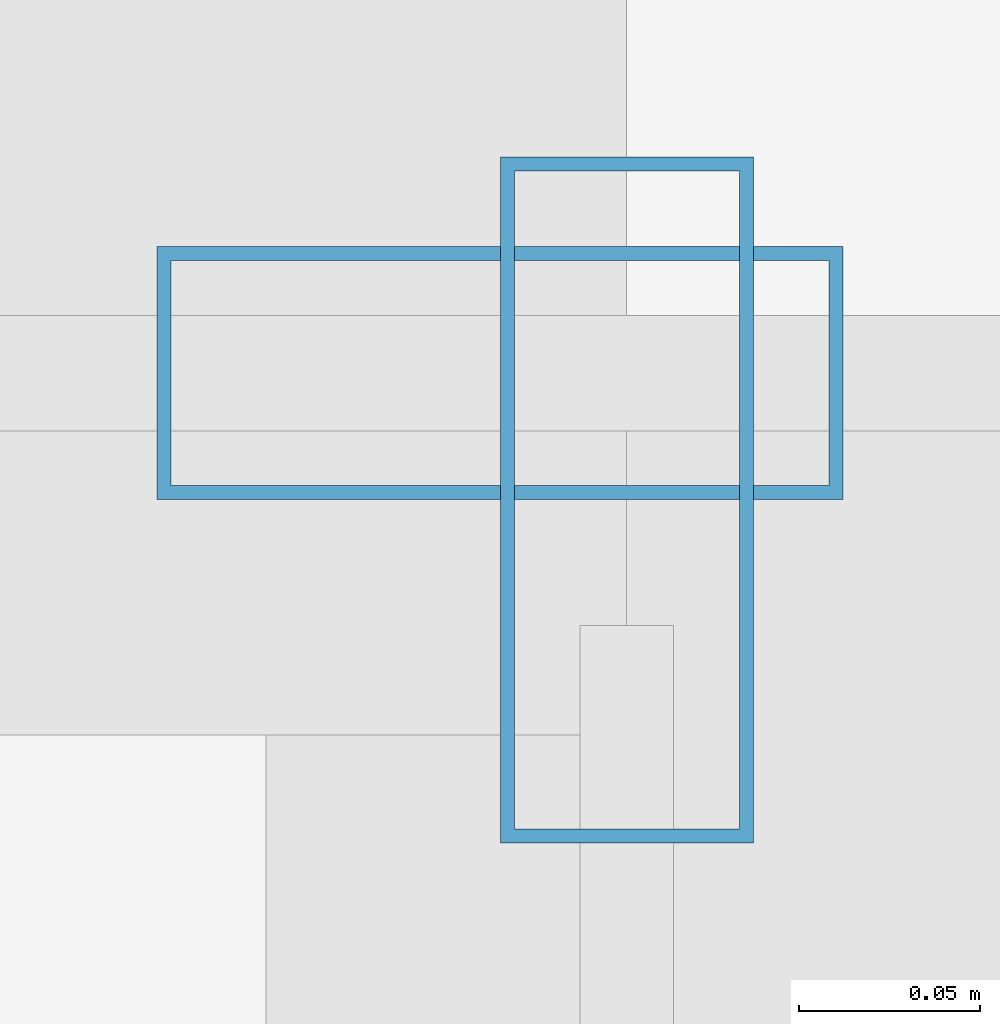
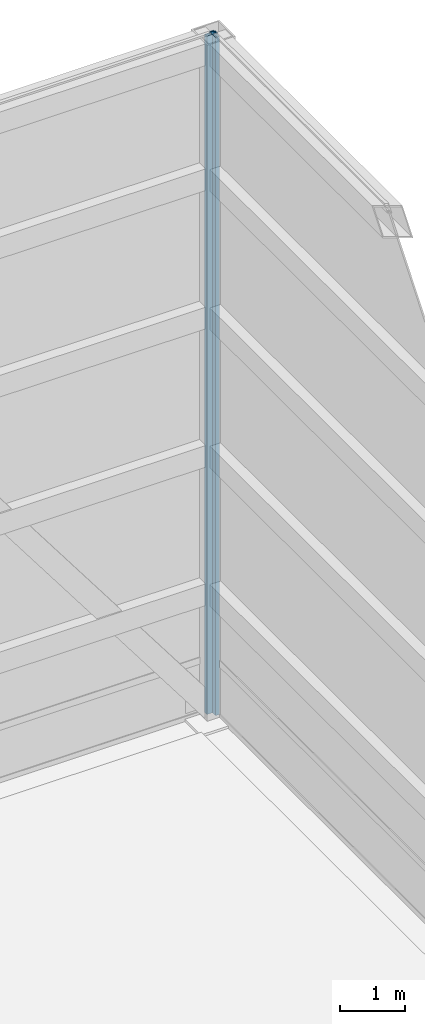
# One storey, part 19 of 23: 2 members, 2 elements without a shape of their own.
"""IFC4 building model written with IfcOpenShell, lengths in metres."""

from ifc_helpers import new_model, si_unit, direction, frame, origin, origin_2d, place, context, subcontext, project, spatial, hollow_rectangle, extrude, source, transform, mapped, material, layer, layer_set, material_profile, profile_set, type_object, type_shapes, element, aggregate, save


model = new_model("IFC4")

# Units and contexts
model_context = context("Model", 3, precision=1e-05, world=origin(), true_north=direction((0.0, 1.0)))
body_context = subcontext(model_context, "Body", "Model", "MODEL_VIEW")
ifc_project = project(units=[si_unit("LENGTHUNIT", "METRE"), si_unit("AREAUNIT", "SQUARE_METRE"), si_unit("VOLUMEUNIT", "CUBIC_METRE"), si_unit("PLANEANGLEUNIT", "RADIAN"), si_unit("MASSUNIT", "GRAM", prefix="KILO")], contexts=[model_context])

# Site, building, storey
site_placement = place(None, origin())
site = spatial("IfcSite", under=ifc_project, at=site_placement, CompositionType="ELEMENT")
building_placement = place(site_placement, origin())
building = spatial("IfcBuilding", under=site, at=building_placement, Name="Varnel Quay Broadcast Tower", CompositionType="ELEMENT")
storey_placement = place(building_placement, frame((0.0, 0.0, 319.800048828125)))
storey = spatial("IfcBuildingStorey", under=building, at=storey_placement, Name="Roof", CompositionType="ELEMENT", Elevation=319.800048828125)

# Curtain wall, member
ifc_material = material(Name="Anodised Bronze Aluminium 6063-T6", Category="aluminium")
ifc_layer = layer(ifc_material, 0.18994140625, Name="Anodised Bronze Aluminium 6063-T6")
ifc_layer_set = layer_set([ifc_layer], Name="Anodised Bronze Aluminium 6063-T6")
curtain_wall_type = type_object("IfcCurtainWallType", Name="CW_CrownScreen", PredefinedType="NOTDEFINED", material=ifc_layer_set)
curtain_wall_1_placement = place(storey_placement, origin())
curtain_wall_1 = element("IfcCurtainWall", 1, at=curtain_wall_1_placement, inside=storey, type_object=curtain_wall_type, Name="Ring Crown Bronze Glazed Louvre Screen E2", PredefinedType="NOTDEFINED")
ifc_material_profile = material_profile(ifc_material, hollow_rectangle(XDim=0.070068359375, YDim=0.18994140625, WallThickness=0.00390625, at=origin_2d()), Name="ALU70X190X4")
ifc_profile_set = profile_set([ifc_material_profile], Name="Anodised Bronze Aluminium 6063-T6")
member_type = type_object("IfcMemberType", Name="Mull_CWS-06", PredefinedType="MULLION", material=ifc_profile_set)
shared_shape = source(origin(), body_context, "Body", "SweptSolid", [
    extrude(hollow_rectangle(XDim=0.070068359375, YDim=0.18994140625, WallThickness=0.00390625, at=origin_2d()), origin(), (0.0, 0.0, 1.0), 12.75),
])
type_shapes(member_type, [shared_shape])
member_1_placement = place(storey_placement, frame((52.800048828125, 43.56494140625, 0.0), z_axis=(0.0, 0.0, 1.0), x_axis=(-1.0, 0.0, 0.0)))
member_1 = element("IfcMember", 2, at=member_1_placement, type_object=member_type, Name="CWS-06 mullion 3", PredefinedType="MULLION", context=body_context, shape_type="MappedRepresentation", body=[
    mapped(shared_shape, transform((0.0, 0.0, 0.0), x_axis=(1.0, 0.0, 0.0), y_axis=(0.0, 1.0, 0.0), z_axis=(0.0, 0.0, 1.0), scale=1.0)),
])
aggregate(curtain_wall_1, [member_1])

curtain_wall_2_placement = place(storey_placement, origin())
curtain_wall_2 = element("IfcCurtainWall", 3, at=curtain_wall_2_placement, inside=storey, type_object=curtain_wall_type, Name="Ring Crown Bronze Glazed Louvre Screen N1", PredefinedType="NOTDEFINED")
member_2_placement = place(storey_placement, frame((52.764892578125, 43.60009765625, 0.0), z_axis=(0.0, 0.0, 1.0), x_axis=(0.0, -1.0, 0.0)))
member_2 = element("IfcMember", 4, at=member_2_placement, type_object=member_type, Name="CWS-06 mullion 1", PredefinedType="MULLION", context=body_context, shape_type="MappedRepresentation", body=[
    mapped(shared_shape, transform((0.0, 0.0, 0.0), x_axis=(1.0, 0.0, 0.0), y_axis=(0.0, 1.0, 0.0), z_axis=(0.0, 0.0, 1.0), scale=1.0)),
])
aggregate(curtain_wall_2, [member_2])

save(model, "model.ifc")
